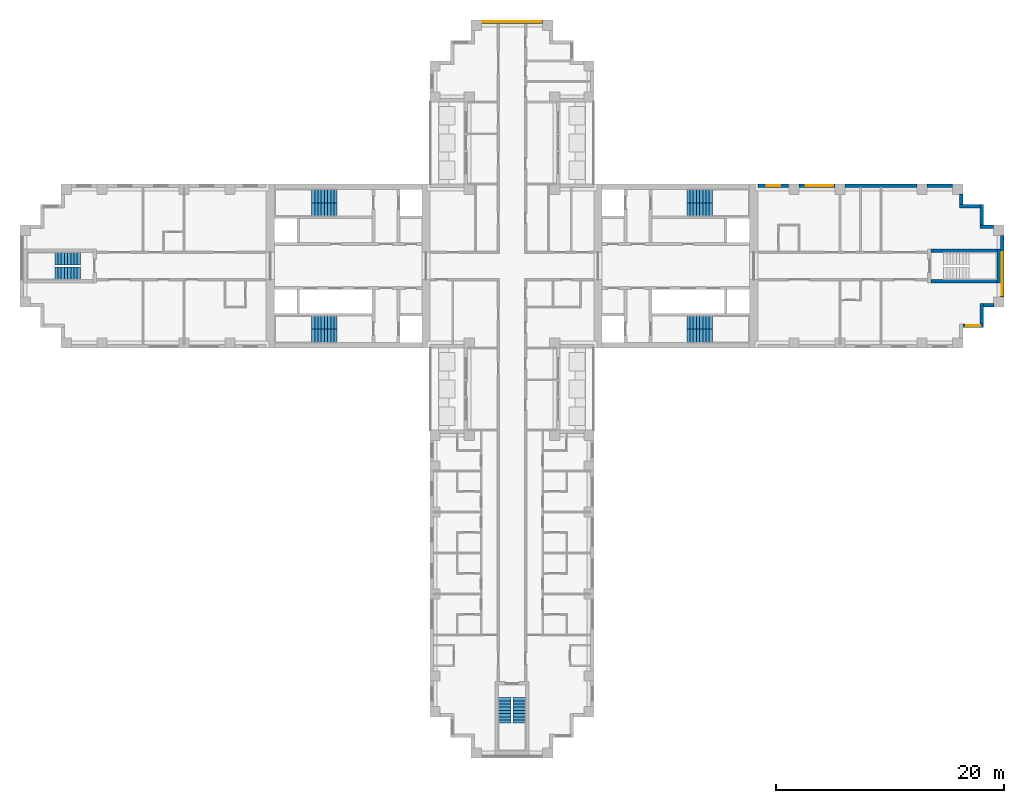
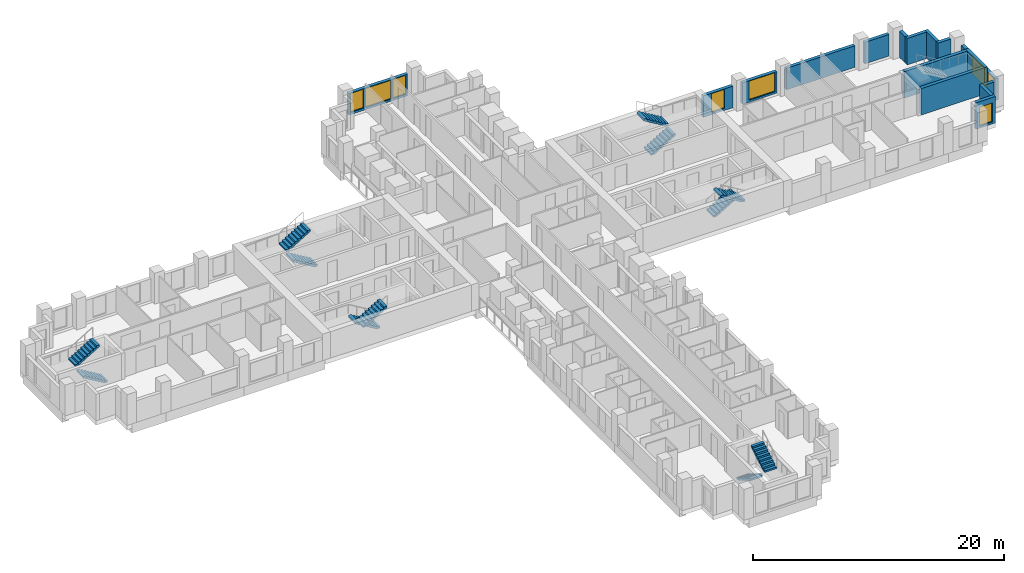
# One storey, part 11 of 14: 16 walls, 12 stair flights, 8 windows, 8 openings, 6 elements without a shape of their own.
"""IFC4 building model written with IfcOpenShell, lengths in metres."""

from ifc_helpers import new_model, si_unit, direction, frame, frame_2d, origin, place, context, subcontext, project, spatial, polyline, rectangle, outline, extrude, material, layer, layer_set, type_object, element, fill, aggregate, save


model = new_model("IFC4")

# Units and contexts
model_context = context("Model", 3, precision=1e-05, world=origin(), true_north=direction((0.0, 1.0)))
body_context = subcontext(model_context, "Body", "Model", "MODEL_VIEW")
ifc_project = project(units=[si_unit("LENGTHUNIT", "METRE"), si_unit("AREAUNIT", "SQUARE_METRE"), si_unit("VOLUMEUNIT", "CUBIC_METRE"), si_unit("PLANEANGLEUNIT", "RADIAN"), si_unit("MASSUNIT", "GRAM", prefix="KILO")], contexts=[model_context])

# Site, building, storey
site_placement = place(None, origin())
site = spatial("IfcSite", under=ifc_project, at=site_placement, CompositionType="ELEMENT")
building_placement = place(site_placement, origin())
building = spatial("IfcBuilding", under=site, at=building_placement, Name="Fustian Cross Tower", CompositionType="ELEMENT")
storey_placement = place(building_placement, frame((0.0, 0.0, 96.89990234375)))
storey = spatial("IfcBuildingStorey", under=building, at=storey_placement, Name="L30", CompositionType="ELEMENT", Elevation=96.89990234375)

# Walls
ifc_material_1 = material(Name="Concrete C50/60", Category="concrete")
ifc_layer_1 = layer(ifc_material_1, 0.300048828125)
ifc_layer_set_1 = layer_set([ifc_layer_1], Name="Concrete C50/60")
wall_type_1 = type_object("IfcWallType", Name="STAIR ENCLOSURE WALL 300 C50/60", PredefinedType="SHEAR", material=ifc_layer_set_1)
wall_1_placement = place(storey_placement, frame((42.75, -1.5, 0.0), z_axis=(0.0, 0.0, 1.0), x_axis=(0.0, 1.0, 0.0)))
element("IfcWall", 1, at=wall_1_placement, inside=storey, type_object=wall_type_1, Name="Stair enclosure wall", PredefinedType="SHEAR", context=body_context, shape_type="SweptSolid", body=[
    extrude(rectangle(XDim=3.0, YDim=0.300048828125, at=frame_2d((1.5, 0.0))), origin(), (0.0, 0.0, 1.0), 2.5751953125),
])
for number, where, z_axis, x_axis, name in (
    (2, (36.800048828125, -1.35009765625, 0.0), (0.0, 0.0, 1.0), (1.0, 0.0, 0.0), "Stair enclosure wall"),
    (3, (36.800048828125, 1.35009765625, 0.0), (0.0, 0.0, 1.0), (1.0, 0.0, 0.0), "Stair enclosure wall"),
):
    element("IfcWall", number, at=place(storey_placement, frame(where, z_axis=z_axis, x_axis=x_axis)), inside=storey, type_object=wall_type_1, Name=name, PredefinedType="SHEAR", context=body_context, shape_type="SweptSolid", body=[
        extrude(rectangle(XDim=5.800048828125, YDim=0.300048828125, at=frame_2d((2.89990234375, 0.0))), origin(), (0.0, 0.0, 1.0), 2.5751953125),
    ])

# Wall, opening, window
ifc_material_2 = material(Name="Dark aluminium cladding on insulated backing wall", Category="aluminium")
ifc_layer_2 = layer(ifc_material_2, 0.300048828125)
ifc_layer_set_2 = layer_set([ifc_layer_2], Name="Dark aluminium cladding on insulated backing wall")
wall_type_2 = type_object("IfcWallType", Name="XW1 EXTERNAL WALL 300", PredefinedType="SOLIDWALL", material=ifc_layer_set_2)
wall_2_placement = place(storey_placement, frame((39.60009765625, -5.25, 0.0), z_axis=(0.0, 0.0, 1.0), x_axis=(1.0, 0.0, 0.0)))
wall_2 = element("IfcWall", 4, at=wall_2_placement, inside=storey, type_object=wall_type_2, Name="External wall", PredefinedType="SOLIDWALL", context=body_context, shape_type="SweptSolid", body=[
    extrude(rectangle(XDim=1.7998046875, YDim=0.300048828125, at=frame_2d((0.89990234375, 0.0))), origin(), (0.0, 0.0, 1.0), 2.5751953125),
])
opening_1_placement = place(wall_2_placement, frame((0.300048828125, 0.0, 0.199951171875)))
opening_1 = element("IfcOpeningElement", 5, at=opening_1_placement, cuts=wall_2, Name="Opening WN3", PredefinedType="OPENING", context=body_context, shape_type="SweptSolid", body=[
    extrude(rectangle(XDim=1.199951171875, YDim=1.85009765625, at=frame_2d((0.60009765625, 0.925048828125))), frame((0.0, 0.159912109375, 0.0), z_axis=(0.0, -1.0, 0.0), x_axis=(1.0, 0.0, 0.0)), (0.0, 0.0, 1.0), 0.320068359375),
])
ifc_material_3 = material(Name="Dark anodised aluminium and double glazing", Category="aluminium")
window_type_1 = type_object("IfcWindowType", Name="WN3 WINDOW 1200X1850", PartitioningType="SINGLE_PANEL", PredefinedType="WINDOW", material=ifc_material_3)
window_1_placement = place(opening_1_placement, origin())
window_1 = element("IfcWindow", 6, at=window_1_placement, inside=storey, type_object=window_type_1, Name="Window", OverallHeight=1.85009765625, OverallWidth=1.199951171875, PartitioningType="SINGLE_PANEL", PredefinedType="WINDOW", context=body_context, shape_type="SweptSolid", body=[
    extrude(rectangle(XDim=1.199951171875, YDim=1.85009765625, at=frame_2d((0.60009765625, 0.925048828125))), frame((0.0, 0.030029296875, 0.0), z_axis=(0.0, -1.0, 0.0), x_axis=(1.0, 0.0, 0.0)), (0.0, 0.0, 1.0), 0.06005859375),
])
fill(opening_1, window_1)

# Walls
wall_3_placement = place(storey_placement, frame((41.25, -5.10009765625, 0.0), z_axis=(0.0, 0.0, 1.0), x_axis=(0.0, 1.0, 0.0)))
element("IfcWall", 7, at=wall_3_placement, inside=storey, type_object=wall_type_2, Name="External wall", PredefinedType="SOLIDWALL", context=body_context, shape_type="SweptSolid", body=[
    extrude(rectangle(XDim=1.800048828125, YDim=0.300048828125, at=frame_2d((0.89990234375, 0.0))), origin(), (0.0, 0.0, 1.0), 2.5751953125),
])
wall_4_placement = place(storey_placement, frame((41.39990234375, -3.449951171875, 0.0), z_axis=(0.0, 0.0, 1.0), x_axis=(1.0, 0.0, 0.0)))
element("IfcWall", 8, at=wall_4_placement, inside=storey, type_object=wall_type_2, Name="External wall", PredefinedType="SOLIDWALL", context=body_context, shape_type="SweptSolid", body=[
    extrude(rectangle(XDim=0.900146484375, YDim=0.300048828125, at=frame_2d((0.4501953125, 0.0))), origin(), (0.0, 0.0, 1.0), 2.5751953125),
])

# Wall, openings, windows
wall_5_placement = place(storey_placement, frame((43.050048828125, -2.699951171875, 0.0), z_axis=(0.0, 0.0, 1.0), x_axis=(0.0, 1.0, 0.0)))
wall_5 = element("IfcWall", 9, at=wall_5_placement, inside=storey, type_object=wall_type_2, Name="External wall", PredefinedType="SOLIDWALL", context=body_context, shape_type="SweptSolid", body=[
    extrude(rectangle(XDim=5.39990234375, YDim=0.300048828125, at=frame_2d((2.699951171875, 0.0))), origin(), (0.0, 0.0, 1.0), 2.10009765625),
])
opening_2_placement = place(wall_5_placement, frame((1.5, 0.0, 0.199951171875)))
opening_2 = element("IfcOpeningElement", 10, at=opening_2_placement, cuts=wall_5, Name="Opening WN1", PredefinedType="OPENING", context=body_context, shape_type="SweptSolid", body=[
    extrude(rectangle(XDim=2.39990234375, YDim=1.85009765625, at=frame_2d((1.199951171875, 0.925048828125))), frame((0.0, 0.159912109375, 0.0), z_axis=(0.0, -1.0, 0.0), x_axis=(1.0, 0.0, 0.0)), (0.0, 0.0, 1.0), 0.320068359375),
])
opening_3_placement = place(wall_5_placement, frame((0.14990234375, 0.0, 0.199951171875)))
opening_3 = element("IfcOpeningElement", 11, at=opening_3_placement, cuts=wall_5, Name="Opening WN3", PredefinedType="OPENING", context=body_context, shape_type="SweptSolid", body=[
    extrude(rectangle(XDim=1.199951171875, YDim=1.85009765625, at=frame_2d((0.60009765625, 0.925048828125))), frame((0.0, 0.159912109375, 0.0), z_axis=(0.0, -1.0, 0.0), x_axis=(1.0, 0.0, 0.0)), (0.0, 0.0, 1.0), 0.320068359375),
])
ifc_material_4 = material(Name="Dark anodised aluminium and double glazing", Category="aluminium")
window_type_2 = type_object("IfcWindowType", Name="WN1 WINDOW 2400X1850", PartitioningType="SINGLE_PANEL", PredefinedType="WINDOW", material=ifc_material_4)
window_2_placement = place(opening_2_placement, origin())
window_2 = element("IfcWindow", 12, at=window_2_placement, inside=storey, type_object=window_type_2, Name="Window", OverallHeight=1.85009765625, OverallWidth=2.39990234375, PartitioningType="SINGLE_PANEL", PredefinedType="WINDOW", context=body_context, shape_type="SweptSolid", body=[
    extrude(rectangle(XDim=2.39990234375, YDim=1.85009765625, at=frame_2d((1.199951171875, 0.925048828125))), frame((0.0, 0.030029296875, 0.0), z_axis=(0.0, -1.0, 0.0), x_axis=(1.0, 0.0, 0.0)), (0.0, 0.0, 1.0), 0.06005859375),
])
fill(opening_2, window_2)
window_3_placement = place(opening_3_placement, origin())
window_3 = element("IfcWindow", 13, at=window_3_placement, inside=storey, type_object=window_type_1, Name="Window", OverallHeight=1.85009765625, OverallWidth=1.199951171875, PartitioningType="SINGLE_PANEL", PredefinedType="WINDOW", context=body_context, shape_type="SweptSolid", body=[
    extrude(rectangle(XDim=1.199951171875, YDim=1.85009765625, at=frame_2d((0.60009765625, 0.925048828125))), frame((0.0, 0.030029296875, 0.0), z_axis=(0.0, -1.0, 0.0), x_axis=(1.0, 0.0, 0.0)), (0.0, 0.0, 1.0), 0.06005859375),
])
fill(opening_3, window_3)

# Walls
wall_6_placement = place(storey_placement, frame((42.300048828125, 3.449951171875, 0.0), z_axis=(0.0, 0.0, 1.0), x_axis=(-1.0, 0.0, 0.0)))
element("IfcWall", 14, at=wall_6_placement, inside=storey, type_object=wall_type_2, Name="External wall", PredefinedType="SOLIDWALL", context=body_context, shape_type="SweptSolid", body=[
    extrude(rectangle(XDim=1.199951171875, YDim=0.300048828125, at=frame_2d((0.60009765625, 0.0))), origin(), (0.0, 0.0, 1.0), 2.5751953125),
])
wall_7_placement = place(storey_placement, frame((41.25, 3.60009765625, 0.0), z_axis=(0.0, 0.0, 1.0), x_axis=(0.0, 1.0, 0.0)))
element("IfcWall", 15, at=wall_7_placement, inside=storey, type_object=wall_type_2, Name="External wall", PredefinedType="SOLIDWALL", context=body_context, shape_type="SweptSolid", body=[
    extrude(rectangle(XDim=1.7998046875, YDim=0.300048828125, at=frame_2d((0.89990234375, 0.0))), origin(), (0.0, 0.0, 1.0), 2.5751953125),
])
wall_8_placement = place(storey_placement, frame((41.10009765625, 5.25, 0.0), z_axis=(0.0, 0.0, 1.0), x_axis=(-1.0, 0.0, 0.0)))
element("IfcWall", 16, at=wall_8_placement, inside=storey, type_object=wall_type_2, Name="External wall", PredefinedType="SOLIDWALL", context=body_context, shape_type="SweptSolid", body=[
    extrude(rectangle(XDim=1.800048828125, YDim=0.300048828125, at=frame_2d((0.89990234375, 0.0))), origin(), (0.0, 0.0, 1.0), 2.5751953125),
])
wall_9_placement = place(storey_placement, frame((39.449951171875, 5.39990234375, 0.0), z_axis=(0.0, 0.0, 1.0), x_axis=(0.0, 1.0, 0.0)))
element("IfcWall", 17, at=wall_9_placement, inside=storey, type_object=wall_type_2, Name="External wall", PredefinedType="SOLIDWALL", context=body_context, shape_type="SweptSolid", body=[
    extrude(rectangle(XDim=0.900146484375, YDim=0.300048828125, at=frame_2d((0.4501953125, 0.0))), origin(), (0.0, 0.0, 1.0), 2.5751953125),
])
wall_10_placement = place(storey_placement, frame((38.699951171875, 7.050048828125, 0.0), z_axis=(0.0, 0.0, 1.0), x_axis=(-1.0, 0.0, 0.0)))
element("IfcWall", 18, at=wall_10_placement, inside=storey, type_object=wall_type_2, Name="External wall", PredefinedType="SOLIDWALL", context=body_context, shape_type="SweptSolid", body=[
    extrude(rectangle(XDim=2.25, YDim=0.300048828125, at=frame_2d((1.125, 0.0))), origin(), (0.0, 0.0, 1.0), 2.10009765625),
])
wall_11_placement = place(storey_placement, frame((35.550048828125, 7.050048828125, 0.0), z_axis=(0.0, 0.0, 1.0), x_axis=(-1.0, 0.0, 0.0)))
element("IfcWall", 19, at=wall_11_placement, inside=storey, type_object=wall_type_2, Name="External wall", PredefinedType="SOLIDWALL", context=body_context, shape_type="SweptSolid", body=[
    extrude(rectangle(XDim=6.300048828125, YDim=0.300048828125, at=frame_2d((3.14990234375, 0.0))), origin(), (0.0, 0.0, 1.0), 2.10009765625),
])

# Wall, opening, window
wall_12_placement = place(storey_placement, frame((28.35009765625, 7.050048828125, 0.0), z_axis=(0.0, 0.0, 1.0), x_axis=(-1.0, 0.0, 0.0)))
wall_12 = element("IfcWall", 20, at=wall_12_placement, inside=storey, type_object=wall_type_2, Name="External wall", PredefinedType="SOLIDWALL", context=body_context, shape_type="SweptSolid", body=[
    extrude(rectangle(XDim=3.150146484375, YDim=0.300048828125, at=frame_2d((1.5751953125, 0.0))), origin(), (0.0, 0.0, 1.0), 2.10009765625),
])
opening_4_placement = place(wall_12_placement, frame((0.14990234375, 0.0, 0.199951171875)))
opening_4 = element("IfcOpeningElement", 21, at=opening_4_placement, cuts=wall_12, Name="Opening WN1", PredefinedType="OPENING", context=body_context, shape_type="SweptSolid", body=[
    extrude(rectangle(XDim=2.39990234375, YDim=1.85009765625, at=frame_2d((1.199951171875, 0.925048828125))), frame((0.0, 0.159912109375, 0.0), z_axis=(0.0, -1.0, 0.0), x_axis=(1.0, 0.0, 0.0)), (0.0, 0.0, 1.0), 0.320068359375),
])
window_4_placement = place(opening_4_placement, origin())
window_4 = element("IfcWindow", 22, at=window_4_placement, inside=storey, type_object=window_type_2, Name="Window", OverallHeight=1.85009765625, OverallWidth=2.39990234375, PartitioningType="SINGLE_PANEL", PredefinedType="WINDOW", context=body_context, shape_type="SweptSolid", body=[
    extrude(rectangle(XDim=2.39990234375, YDim=1.85009765625, at=frame_2d((1.199951171875, 0.925048828125))), frame((0.0, 0.030029296875, 0.0), z_axis=(0.0, -1.0, 0.0), x_axis=(1.0, 0.0, 0.0)), (0.0, 0.0, 1.0), 0.06005859375),
])
fill(opening_4, window_4)

wall_13_placement = place(storey_placement, frame((24.300048828125, 7.050048828125, 0.0), z_axis=(0.0, 0.0, 1.0), x_axis=(-1.0, 0.0, 0.0)))
wall_13 = element("IfcWall", 23, at=wall_13_placement, inside=storey, type_object=wall_type_2, Name="External wall", PredefinedType="SOLIDWALL", context=body_context, shape_type="SweptSolid", body=[
    extrude(rectangle(XDim=2.699951171875, YDim=0.300048828125, at=frame_2d((1.35009765625, 0.0))), origin(), (0.0, 0.0, 1.0), 2.10009765625),
])
opening_5_placement = place(wall_13_placement, frame((0.75, 0.0, 0.199951171875)))
opening_5 = element("IfcOpeningElement", 24, at=opening_5_placement, cuts=wall_13, Name="Opening WN3", PredefinedType="OPENING", context=body_context, shape_type="SweptSolid", body=[
    extrude(rectangle(XDim=1.199951171875, YDim=1.85009765625, at=frame_2d((0.60009765625, 0.925048828125))), frame((0.0, 0.159912109375, 0.0), z_axis=(0.0, -1.0, 0.0), x_axis=(1.0, 0.0, 0.0)), (0.0, 0.0, 1.0), 0.320068359375),
])
window_5_placement = place(opening_5_placement, origin())
window_5 = element("IfcWindow", 25, at=window_5_placement, inside=storey, type_object=window_type_1, Name="Window", OverallHeight=1.85009765625, OverallWidth=1.199951171875, PartitioningType="SINGLE_PANEL", PredefinedType="WINDOW", context=body_context, shape_type="SweptSolid", body=[
    extrude(rectangle(XDim=1.199951171875, YDim=1.85009765625, at=frame_2d((0.60009765625, 0.925048828125))), frame((0.0, 0.030029296875, 0.0), z_axis=(0.0, -1.0, 0.0), x_axis=(1.0, 0.0, 0.0)), (0.0, 0.0, 1.0), 0.06005859375),
])
fill(opening_5, window_5)

# Wall, openings, windows
wall_14_placement = place(storey_placement, frame((2.699951171875, 21.449951171875, 0.0), z_axis=(0.0, 0.0, 1.0), x_axis=(-1.0, 0.0, 0.0)))
wall_14 = element("IfcWall", 26, at=wall_14_placement, inside=storey, type_object=wall_type_2, Name="External wall", PredefinedType="SOLIDWALL", context=body_context, shape_type="SweptSolid", body=[
    extrude(rectangle(XDim=5.39990234375, YDim=0.300048828125, at=frame_2d((2.699951171875, 0.0))), origin(), (0.0, 0.0, 1.0), 2.10009765625),
])
opening_6_placement = place(wall_14_placement, frame((1.5, 0.0, 0.199951171875)))
opening_6 = element("IfcOpeningElement", 27, at=opening_6_placement, cuts=wall_14, Name="Opening WN1", PredefinedType="OPENING", context=body_context, shape_type="SweptSolid", body=[
    extrude(rectangle(XDim=2.39990234375, YDim=1.85009765625, at=frame_2d((1.199951171875, 0.925048828125))), frame((0.0, 0.159912109375, 0.0), z_axis=(0.0, -1.0, 0.0), x_axis=(1.0, 0.0, 0.0)), (0.0, 0.0, 1.0), 0.320068359375),
])
opening_7_placement = place(wall_14_placement, frame((0.14990234375, 0.0, 0.199951171875)))
opening_7 = element("IfcOpeningElement", 28, at=opening_7_placement, cuts=wall_14, Name="Opening WN3", PredefinedType="OPENING", context=body_context, shape_type="SweptSolid", body=[
    extrude(rectangle(XDim=1.199951171875, YDim=1.85009765625, at=frame_2d((0.60009765625, 0.925048828125))), frame((0.0, 0.159912109375, 0.0), z_axis=(0.0, -1.0, 0.0), x_axis=(1.0, 0.0, 0.0)), (0.0, 0.0, 1.0), 0.320068359375),
])
opening_8_placement = place(wall_14_placement, frame((4.050048828125, 0.0, 0.199951171875)))
opening_8 = element("IfcOpeningElement", 29, at=opening_8_placement, cuts=wall_14, Name="Opening WN3", PredefinedType="OPENING", context=body_context, shape_type="SweptSolid", body=[
    extrude(rectangle(XDim=1.199951171875, YDim=1.85009765625, at=frame_2d((0.60009765625, 0.925048828125))), frame((0.0, 0.159912109375, 0.0), z_axis=(0.0, -1.0, 0.0), x_axis=(1.0, 0.0, 0.0)), (0.0, 0.0, 1.0), 0.320068359375),
])
window_6_placement = place(opening_6_placement, origin())
window_6 = element("IfcWindow", 30, at=window_6_placement, inside=storey, type_object=window_type_2, Name="Window", OverallHeight=1.85009765625, OverallWidth=2.39990234375, PartitioningType="SINGLE_PANEL", PredefinedType="WINDOW", context=body_context, shape_type="SweptSolid", body=[
    extrude(rectangle(XDim=2.39990234375, YDim=1.85009765625, at=frame_2d((1.199951171875, 0.925048828125))), frame((0.0, 0.030029296875, 0.0), z_axis=(0.0, -1.0, 0.0), x_axis=(1.0, 0.0, 0.0)), (0.0, 0.0, 1.0), 0.06005859375),
])
fill(opening_6, window_6)
window_7_placement = place(opening_7_placement, origin())
window_7 = element("IfcWindow", 31, at=window_7_placement, inside=storey, type_object=window_type_1, Name="Window", OverallHeight=1.85009765625, OverallWidth=1.199951171875, PartitioningType="SINGLE_PANEL", PredefinedType="WINDOW", context=body_context, shape_type="SweptSolid", body=[
    extrude(rectangle(XDim=1.199951171875, YDim=1.85009765625, at=frame_2d((0.60009765625, 0.925048828125))), frame((0.0, 0.030029296875, 0.0), z_axis=(0.0, -1.0, 0.0), x_axis=(1.0, 0.0, 0.0)), (0.0, 0.0, 1.0), 0.06005859375),
])
fill(opening_7, window_7)
window_8_placement = place(opening_8_placement, origin())
window_8 = element("IfcWindow", 32, at=window_8_placement, inside=storey, type_object=window_type_1, Name="Window", OverallHeight=1.85009765625, OverallWidth=1.199951171875, PartitioningType="SINGLE_PANEL", PredefinedType="WINDOW", context=body_context, shape_type="SweptSolid", body=[
    extrude(rectangle(XDim=1.199951171875, YDim=1.85009765625, at=frame_2d((0.60009765625, 0.925048828125))), frame((0.0, 0.030029296875, 0.0), z_axis=(0.0, -1.0, 0.0), x_axis=(1.0, 0.0, 0.0)), (0.0, 0.0, 1.0), 0.06005859375),
])
fill(opening_8, window_8)

# Stair, stair flights
ifc_material_5 = material(Name="Concrete C50/60", Category="concrete")
stair_type_1 = type_object("IfcStairType", Name="STAIR 1100 HALF TURN", PredefinedType="HALF_TURN_STAIR", material=ifc_material_5)
stair_1_placement = place(storey_placement, origin())
stair_1 = element("IfcStair", 33, at=stair_1_placement, inside=storey, type_object=stair_type_1, Name="Stair ST6", PredefinedType="HALF_TURN_STAIR")
ifc_material_6 = material(Name="Concrete C50/60", Category="concrete")
stair_flight_type_1 = type_object("IfcStairFlightType", Name="STAIR FLIGHT 1100", PredefinedType="STRAIGHT", material=ifc_material_6)
stair_flight_1_placement = place(storey_placement, frame((-0.64990234375, -37.89990234375, 0.0), z_axis=(0.0, 0.0, 1.0), x_axis=(0.0, -1.0, 0.0)))
stair_flight_1 = element("IfcStairFlight", 34, at=stair_flight_1_placement, type_object=stair_flight_type_1, Name="ST6 flight 1", NumberOfRisers=9, NumberOfTreads=8, PredefinedType="STRAIGHT", RiserHeight=0.166666667, TreadLength=0.28, context=body_context, shape_type="SweptSolid", body=[
    extrude(outline(polyline([(0.0, 0.0), (0.0, 0.166748046875), (0.280029296875, 0.166748046875), (0.280029296875, 0.333251953125), (0.56005859375, 0.333251953125), (0.56005859375, 0.5), (0.840087890625, 0.5), (0.840087890625, 0.666748046875), (1.1201171875, 0.666748046875), (1.1201171875, 0.833251953125), (1.39990234375, 0.833251953125), (1.39990234375, 1.0), (1.679931640625, 1.0), (1.679931640625, 1.166748046875), (1.9599609375, 1.166748046875), (1.9599609375, 1.333251953125), (2.239990234375, 1.333251953125), (2.239990234375, 1.5), (2.239990234375, 1.158935546875), (0.29296875, 0.0), (0.0, 0.0)])), frame((0.0, 0.550048828125, 0.0), z_axis=(0.0, -1.0, 0.0), x_axis=(1.0, 0.0, 0.0)), (0.0, 0.0, 1.0), 1.10009765625),
])
stair_flight_2_placement = place(storey_placement, frame((0.64990234375, -40.139892578125, 1.5), z_axis=(0.0, 0.0, 1.0), x_axis=(0.0, 1.0, 0.0)))
stair_flight_2 = element("IfcStairFlight", 35, at=stair_flight_2_placement, type_object=stair_flight_type_1, Name="ST6 flight 2", NumberOfRisers=9, NumberOfTreads=8, PredefinedType="STRAIGHT", RiserHeight=0.166666667, TreadLength=0.28, context=body_context, shape_type="SweptSolid", body=[
    extrude(outline(polyline([(0.0, 0.0), (0.0, 0.166748046875), (0.280029296875, 0.166748046875), (0.280029296875, 0.333251953125), (0.56005859375, 0.333251953125), (0.56005859375, 0.5), (0.840087890625, 0.5), (0.840087890625, 0.666748046875), (1.1201171875, 0.666748046875), (1.1201171875, 0.833251953125), (1.39990234375, 0.833251953125), (1.39990234375, 1.0), (1.679931640625, 1.0), (1.679931640625, 1.166748046875), (1.9599609375, 1.166748046875), (1.9599609375, 1.333251953125), (2.239990234375, 1.333251953125), (2.239990234375, 1.5), (2.239990234375, 1.158935546875), (0.29296875, 0.0), (0.0, 0.0)])), frame((0.0, 0.550048828125, 0.0), z_axis=(0.0, -1.0, 0.0), x_axis=(1.0, 0.0, 0.0)), (0.0, 0.0, 1.0), 1.10009765625),
])
aggregate(stair_1, [stair_flight_1, stair_flight_2])

stair_2_placement = place(storey_placement, origin())
stair_2 = element("IfcStair", 36, at=stair_2_placement, inside=storey, type_object=stair_type_1, Name="Stair ST9", PredefinedType="HALF_TURN_STAIR")
stair_flight_3_placement = place(storey_placement, frame((-37.89990234375, -0.64990234375, 0.0), z_axis=(0.0, 0.0, 1.0), x_axis=(-1.0, 0.0, 0.0)))
stair_flight_3 = element("IfcStairFlight", 37, at=stair_flight_3_placement, type_object=stair_flight_type_1, Name="ST9 flight 1", NumberOfRisers=9, NumberOfTreads=8, PredefinedType="STRAIGHT", RiserHeight=0.166666667, TreadLength=0.28, context=body_context, shape_type="SweptSolid", body=[
    extrude(outline(polyline([(0.0, 0.0), (0.0, 0.166748046875), (0.280029296875, 0.166748046875), (0.280029296875, 0.333251953125), (0.56005859375, 0.333251953125), (0.56005859375, 0.5), (0.840087890625, 0.5), (0.840087890625, 0.666748046875), (1.1201171875, 0.666748046875), (1.1201171875, 0.833251953125), (1.39990234375, 0.833251953125), (1.39990234375, 1.0), (1.679931640625, 1.0), (1.679931640625, 1.166748046875), (1.9599609375, 1.166748046875), (1.9599609375, 1.333251953125), (2.239990234375, 1.333251953125), (2.239990234375, 1.5), (2.239990234375, 1.158935546875), (0.29296875, 0.0), (0.0, 0.0)])), frame((0.0, 0.550048828125, 0.0), z_axis=(0.0, -1.0, 0.0), x_axis=(1.0, 0.0, 0.0)), (0.0, 0.0, 1.0), 1.10009765625),
])
stair_flight_4_placement = place(storey_placement, frame((-40.139892578125, 0.64990234375, 1.5), z_axis=(0.0, 0.0, 1.0), x_axis=(1.0, 0.0, 0.0)))
stair_flight_4 = element("IfcStairFlight", 38, at=stair_flight_4_placement, type_object=stair_flight_type_1, Name="ST9 flight 2", NumberOfRisers=9, NumberOfTreads=8, PredefinedType="STRAIGHT", RiserHeight=0.166666667, TreadLength=0.28, context=body_context, shape_type="SweptSolid", body=[
    extrude(outline(polyline([(0.0, 0.0), (0.0, 0.166748046875), (0.280029296875, 0.166748046875), (0.280029296875, 0.333251953125), (0.56005859375, 0.333251953125), (0.56005859375, 0.5), (0.840087890625, 0.5), (0.840087890625, 0.666748046875), (1.1201171875, 0.666748046875), (1.1201171875, 0.833251953125), (1.39990234375, 0.833251953125), (1.39990234375, 1.0), (1.679931640625, 1.0), (1.679931640625, 1.166748046875), (1.9599609375, 1.166748046875), (1.9599609375, 1.333251953125), (2.239990234375, 1.333251953125), (2.239990234375, 1.5), (2.239990234375, 1.158935546875), (0.29296875, 0.0), (0.0, 0.0)])), frame((0.0, 0.550048828125, 0.0), z_axis=(0.0, -1.0, 0.0), x_axis=(1.0, 0.0, 0.0)), (0.0, 0.0, 1.0), 1.10009765625),
])
aggregate(stair_2, [stair_flight_3, stair_flight_4])

ifc_material_7 = material(Name="Concrete C50/60", Category="concrete")
stair_type_2 = type_object("IfcStairType", Name="STAIR 1150 HALF TURN", PredefinedType="HALF_TURN_STAIR", material=ifc_material_7)
stair_3_placement = place(storey_placement, origin())
stair_3 = element("IfcStair", 39, at=stair_3_placement, inside=storey, type_object=stair_type_2, Name="Stair ST1", PredefinedType="HALF_TURN_STAIR")
ifc_material_8 = material(Name="Concrete C50/60", Category="concrete")
stair_flight_type_2 = type_object("IfcStairFlightType", Name="STAIR FLIGHT 1150", PredefinedType="STRAIGHT", material=ifc_material_8)
stair_flight_5_placement = place(storey_placement, frame((15.35009765625, 4.97509765625, 0.0), z_axis=(0.0, 0.0, 1.0), x_axis=(1.0, 0.0, 0.0)))
stair_flight_5 = element("IfcStairFlight", 40, at=stair_flight_5_placement, type_object=stair_flight_type_2, Name="ST1 flight 1", NumberOfRisers=9, NumberOfTreads=8, PredefinedType="STRAIGHT", RiserHeight=0.166666667, TreadLength=0.28, context=body_context, shape_type="SweptSolid", body=[
    extrude(outline(polyline([(0.0, 0.0), (0.0, 0.166748046875), (0.280029296875, 0.166748046875), (0.280029296875, 0.333251953125), (0.56005859375, 0.333251953125), (0.56005859375, 0.5), (0.840087890625, 0.5), (0.840087890625, 0.666748046875), (1.1201171875, 0.666748046875), (1.1201171875, 0.833251953125), (1.39990234375, 0.833251953125), (1.39990234375, 1.0), (1.679931640625, 1.0), (1.679931640625, 1.166748046875), (1.9599609375, 1.166748046875), (1.9599609375, 1.333251953125), (2.239990234375, 1.333251953125), (2.239990234375, 1.5), (2.239990234375, 1.158935546875), (0.29296875, 0.0), (0.0, 0.0)])), frame((0.0, 0.574951171875, 0.0), z_axis=(0.0, -1.0, 0.0), x_axis=(1.0, 0.0, 0.0)), (0.0, 0.0, 1.0), 1.14990234375),
])
stair_flight_6_placement = place(storey_placement, frame((17.590087890625, 6.125, 1.5), z_axis=(0.0, 0.0, 1.0), x_axis=(-1.0, 0.0, 0.0)))
stair_flight_6 = element("IfcStairFlight", 41, at=stair_flight_6_placement, type_object=stair_flight_type_2, Name="ST1 flight 2", NumberOfRisers=9, NumberOfTreads=8, PredefinedType="STRAIGHT", RiserHeight=0.166666667, TreadLength=0.28, context=body_context, shape_type="SweptSolid", body=[
    extrude(outline(polyline([(0.0, 0.0), (0.0, 0.166748046875), (0.280029296875, 0.166748046875), (0.280029296875, 0.333251953125), (0.56005859375, 0.333251953125), (0.56005859375, 0.5), (0.840087890625, 0.5), (0.840087890625, 0.666748046875), (1.1201171875, 0.666748046875), (1.1201171875, 0.833251953125), (1.39990234375, 0.833251953125), (1.39990234375, 1.0), (1.679931640625, 1.0), (1.679931640625, 1.166748046875), (1.9599609375, 1.166748046875), (1.9599609375, 1.333251953125), (2.239990234375, 1.333251953125), (2.239990234375, 1.5), (2.239990234375, 1.158935546875), (0.29296875, 0.0), (0.0, 0.0)])), frame((0.0, 0.574951171875, 0.0), z_axis=(0.0, -1.0, 0.0), x_axis=(1.0, 0.0, 0.0)), (0.0, 0.0, 1.0), 1.14990234375),
])
aggregate(stair_3, [stair_flight_5, stair_flight_6])

stair_4_placement = place(storey_placement, origin())
stair_4 = element("IfcStair", 42, at=stair_4_placement, inside=storey, type_object=stair_type_2, Name="Stair ST2", PredefinedType="HALF_TURN_STAIR")
stair_flight_7_placement = place(storey_placement, frame((15.35009765625, -4.97509765625, 0.0), z_axis=(0.0, 0.0, 1.0), x_axis=(1.0, 0.0, 0.0)))
stair_flight_7 = element("IfcStairFlight", 43, at=stair_flight_7_placement, type_object=stair_flight_type_2, Name="ST2 flight 1", NumberOfRisers=9, NumberOfTreads=8, PredefinedType="STRAIGHT", RiserHeight=0.166666667, TreadLength=0.28, context=body_context, shape_type="SweptSolid", body=[
    extrude(outline(polyline([(0.0, 0.0), (0.0, 0.166748046875), (0.280029296875, 0.166748046875), (0.280029296875, 0.333251953125), (0.56005859375, 0.333251953125), (0.56005859375, 0.5), (0.840087890625, 0.5), (0.840087890625, 0.666748046875), (1.1201171875, 0.666748046875), (1.1201171875, 0.833251953125), (1.39990234375, 0.833251953125), (1.39990234375, 1.0), (1.679931640625, 1.0), (1.679931640625, 1.166748046875), (1.9599609375, 1.166748046875), (1.9599609375, 1.333251953125), (2.239990234375, 1.333251953125), (2.239990234375, 1.5), (2.239990234375, 1.158935546875), (0.29296875, 0.0), (0.0, 0.0)])), frame((0.0, 0.574951171875, 0.0), z_axis=(0.0, -1.0, 0.0), x_axis=(1.0, 0.0, 0.0)), (0.0, 0.0, 1.0), 1.14990234375),
])
stair_flight_8_placement = place(storey_placement, frame((17.590087890625, -6.125, 1.5), z_axis=(0.0, 0.0, 1.0), x_axis=(-1.0, 0.0, 0.0)))
stair_flight_8 = element("IfcStairFlight", 44, at=stair_flight_8_placement, type_object=stair_flight_type_2, Name="ST2 flight 2", NumberOfRisers=9, NumberOfTreads=8, PredefinedType="STRAIGHT", RiserHeight=0.166666667, TreadLength=0.28, context=body_context, shape_type="SweptSolid", body=[
    extrude(outline(polyline([(0.0, 0.0), (0.0, 0.166748046875), (0.280029296875, 0.166748046875), (0.280029296875, 0.333251953125), (0.56005859375, 0.333251953125), (0.56005859375, 0.5), (0.840087890625, 0.5), (0.840087890625, 0.666748046875), (1.1201171875, 0.666748046875), (1.1201171875, 0.833251953125), (1.39990234375, 0.833251953125), (1.39990234375, 1.0), (1.679931640625, 1.0), (1.679931640625, 1.166748046875), (1.9599609375, 1.166748046875), (1.9599609375, 1.333251953125), (2.239990234375, 1.333251953125), (2.239990234375, 1.5), (2.239990234375, 1.158935546875), (0.29296875, 0.0), (0.0, 0.0)])), frame((0.0, 0.574951171875, 0.0), z_axis=(0.0, -1.0, 0.0), x_axis=(1.0, 0.0, 0.0)), (0.0, 0.0, 1.0), 1.14990234375),
])
aggregate(stair_4, [stair_flight_7, stair_flight_8])

stair_5_placement = place(storey_placement, origin())
stair_5 = element("IfcStair", 45, at=stair_5_placement, inside=storey, type_object=stair_type_2, Name="Stair ST3", PredefinedType="HALF_TURN_STAIR")
stair_flight_9_placement = place(storey_placement, frame((-15.35009765625, 4.97509765625, 0.0), z_axis=(0.0, 0.0, 1.0), x_axis=(-1.0, 0.0, 0.0)))
stair_flight_9 = element("IfcStairFlight", 46, at=stair_flight_9_placement, type_object=stair_flight_type_2, Name="ST3 flight 1", NumberOfRisers=9, NumberOfTreads=8, PredefinedType="STRAIGHT", RiserHeight=0.166666667, TreadLength=0.28, context=body_context, shape_type="SweptSolid", body=[
    extrude(outline(polyline([(0.0, 0.0), (0.0, 0.166748046875), (0.280029296875, 0.166748046875), (0.280029296875, 0.333251953125), (0.56005859375, 0.333251953125), (0.56005859375, 0.5), (0.840087890625, 0.5), (0.840087890625, 0.666748046875), (1.1201171875, 0.666748046875), (1.1201171875, 0.833251953125), (1.39990234375, 0.833251953125), (1.39990234375, 1.0), (1.679931640625, 1.0), (1.679931640625, 1.166748046875), (1.9599609375, 1.166748046875), (1.9599609375, 1.333251953125), (2.239990234375, 1.333251953125), (2.239990234375, 1.5), (2.239990234375, 1.158935546875), (0.29296875, 0.0), (0.0, 0.0)])), frame((0.0, 0.574951171875, 0.0), z_axis=(0.0, -1.0, 0.0), x_axis=(1.0, 0.0, 0.0)), (0.0, 0.0, 1.0), 1.14990234375),
])
stair_flight_10_placement = place(storey_placement, frame((-17.590087890625, 6.125, 1.5), z_axis=(0.0, 0.0, 1.0), x_axis=(1.0, 0.0, 0.0)))
stair_flight_10 = element("IfcStairFlight", 47, at=stair_flight_10_placement, type_object=stair_flight_type_2, Name="ST3 flight 2", NumberOfRisers=9, NumberOfTreads=8, PredefinedType="STRAIGHT", RiserHeight=0.166666667, TreadLength=0.28, context=body_context, shape_type="SweptSolid", body=[
    extrude(outline(polyline([(0.0, 0.0), (0.0, 0.166748046875), (0.280029296875, 0.166748046875), (0.280029296875, 0.333251953125), (0.56005859375, 0.333251953125), (0.56005859375, 0.5), (0.840087890625, 0.5), (0.840087890625, 0.666748046875), (1.1201171875, 0.666748046875), (1.1201171875, 0.833251953125), (1.39990234375, 0.833251953125), (1.39990234375, 1.0), (1.679931640625, 1.0), (1.679931640625, 1.166748046875), (1.9599609375, 1.166748046875), (1.9599609375, 1.333251953125), (2.239990234375, 1.333251953125), (2.239990234375, 1.5), (2.239990234375, 1.158935546875), (0.29296875, 0.0), (0.0, 0.0)])), frame((0.0, 0.574951171875, 0.0), z_axis=(0.0, -1.0, 0.0), x_axis=(1.0, 0.0, 0.0)), (0.0, 0.0, 1.0), 1.14990234375),
])
aggregate(stair_5, [stair_flight_9, stair_flight_10])

stair_6_placement = place(storey_placement, origin())
stair_6 = element("IfcStair", 48, at=stair_6_placement, inside=storey, type_object=stair_type_2, Name="Stair ST4", PredefinedType="HALF_TURN_STAIR")
stair_flight_11_placement = place(storey_placement, frame((-15.35009765625, -4.97509765625, 0.0), z_axis=(0.0, 0.0, 1.0), x_axis=(-1.0, 0.0, 0.0)))
stair_flight_11 = element("IfcStairFlight", 49, at=stair_flight_11_placement, type_object=stair_flight_type_2, Name="ST4 flight 1", NumberOfRisers=9, NumberOfTreads=8, PredefinedType="STRAIGHT", RiserHeight=0.166666667, TreadLength=0.28, context=body_context, shape_type="SweptSolid", body=[
    extrude(outline(polyline([(0.0, 0.0), (0.0, 0.166748046875), (0.280029296875, 0.166748046875), (0.280029296875, 0.333251953125), (0.56005859375, 0.333251953125), (0.56005859375, 0.5), (0.840087890625, 0.5), (0.840087890625, 0.666748046875), (1.1201171875, 0.666748046875), (1.1201171875, 0.833251953125), (1.39990234375, 0.833251953125), (1.39990234375, 1.0), (1.679931640625, 1.0), (1.679931640625, 1.166748046875), (1.9599609375, 1.166748046875), (1.9599609375, 1.333251953125), (2.239990234375, 1.333251953125), (2.239990234375, 1.5), (2.239990234375, 1.158935546875), (0.29296875, 0.0), (0.0, 0.0)])), frame((0.0, 0.574951171875, 0.0), z_axis=(0.0, -1.0, 0.0), x_axis=(1.0, 0.0, 0.0)), (0.0, 0.0, 1.0), 1.14990234375),
])
stair_flight_12_placement = place(storey_placement, frame((-17.590087890625, -6.125, 1.5), z_axis=(0.0, 0.0, 1.0), x_axis=(1.0, 0.0, 0.0)))
stair_flight_12 = element("IfcStairFlight", 50, at=stair_flight_12_placement, type_object=stair_flight_type_2, Name="ST4 flight 2", NumberOfRisers=9, NumberOfTreads=8, PredefinedType="STRAIGHT", RiserHeight=0.166666667, TreadLength=0.28, context=body_context, shape_type="SweptSolid", body=[
    extrude(outline(polyline([(0.0, 0.0), (0.0, 0.166748046875), (0.280029296875, 0.166748046875), (0.280029296875, 0.333251953125), (0.56005859375, 0.333251953125), (0.56005859375, 0.5), (0.840087890625, 0.5), (0.840087890625, 0.666748046875), (1.1201171875, 0.666748046875), (1.1201171875, 0.833251953125), (1.39990234375, 0.833251953125), (1.39990234375, 1.0), (1.679931640625, 1.0), (1.679931640625, 1.166748046875), (1.9599609375, 1.166748046875), (1.9599609375, 1.333251953125), (2.239990234375, 1.333251953125), (2.239990234375, 1.5), (2.239990234375, 1.158935546875), (0.29296875, 0.0), (0.0, 0.0)])), frame((0.0, 0.574951171875, 0.0), z_axis=(0.0, -1.0, 0.0), x_axis=(1.0, 0.0, 0.0)), (0.0, 0.0, 1.0), 1.14990234375),
])
aggregate(stair_6, [stair_flight_11, stair_flight_12])

save(model, "model.ifc")
